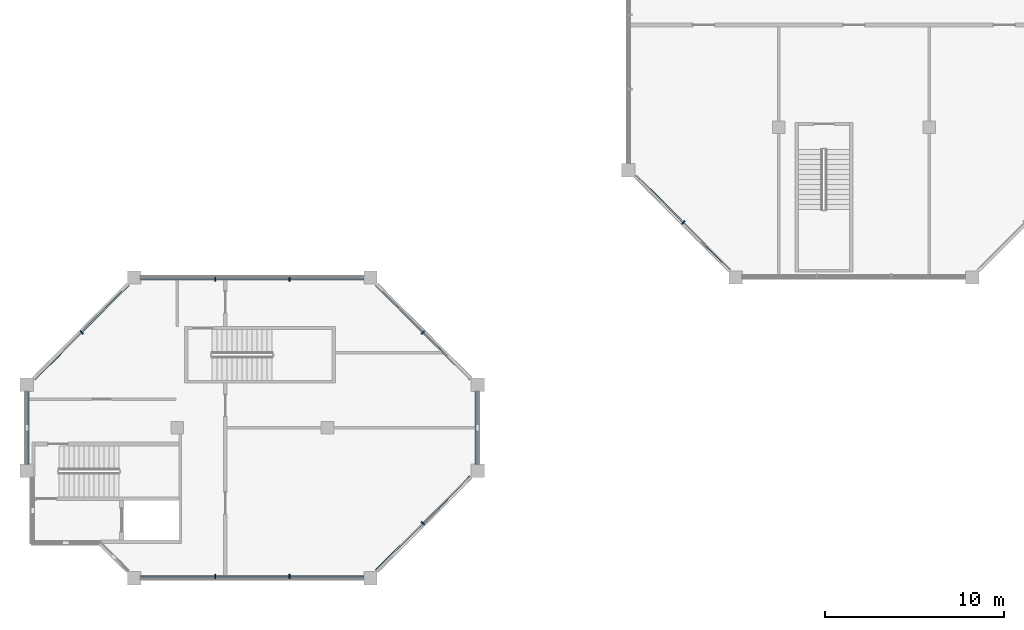
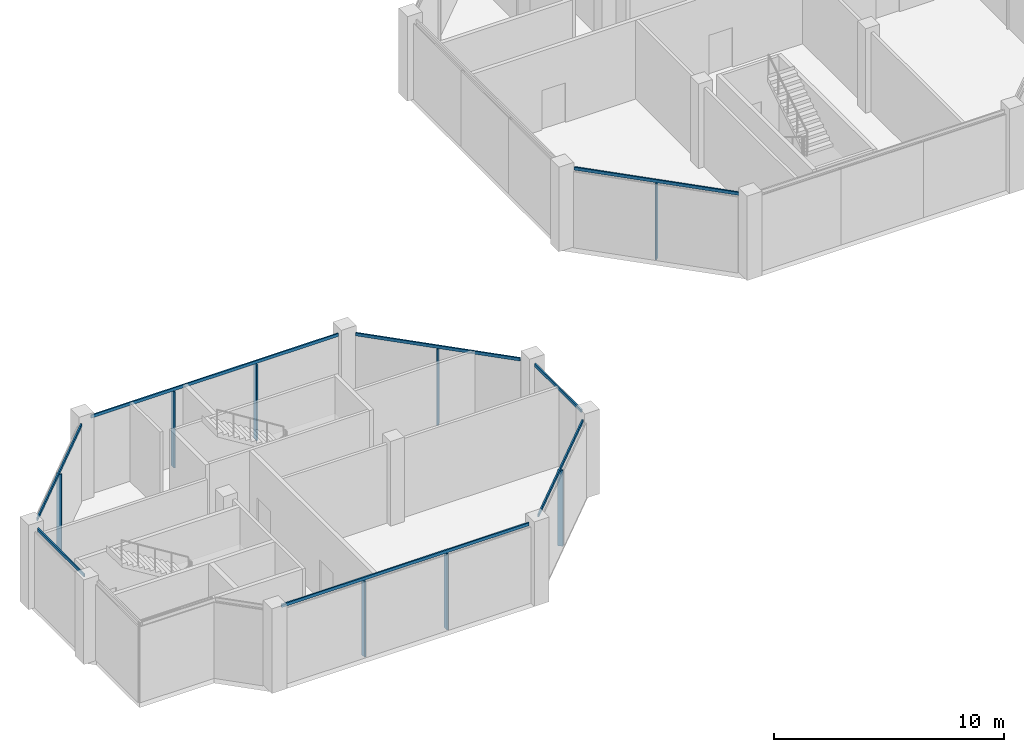
# One storey, part 2 of 9: 16 members, 8 elements without a shape of their own.
"""IFC4 building model written with IfcOpenShell, lengths in metres."""

import ifcopenshell
import ifcopenshell.guid

model = None  # the IFC model being written
_history = None  # IfcOwnerHistory: only IFC2X3 demands one
_inside = {}  # id of a spatial element -> (the spatial element, [elements in it])
_under = {}  # id of a project, library or spatial element -> (it, [spatial elements below it])
_declared = {}  # id of a project -> (the project, [libraries it declares])
_typed = {}  # id of a type object -> (the type object, [elements of that type])
_made_of = {}  # id of a material, layer set ... -> (it, [elements and type objects made of it])


def new_model(schema):
    """Start an empty IFC model of exactly this schema.

    Asked for "IFC4X3", IfcOpenShell would pick the latest addendum, in which some entities
    have other attributes; the version numbers below select the first issue.
    IFC2X3 requires an IfcOwnerHistory on every rooted entity: one is made here for all.
    """
    global model, _history
    if schema == "IFC4X3":
        model = ifcopenshell.file(schema_version=(4, 3, 0, 0))
    else:
        model = ifcopenshell.file(schema=schema)
    _inside.clear()
    _under.clear()
    _declared.clear()
    _typed.clear()
    _made_of.clear()
    _history = None
    if model.schema == "IFC2X3":
        org = make("IfcOrganization", Name="unknown")
        user = make(
            "IfcPersonAndOrganization",
            ThePerson=make("IfcPerson", FamilyName="unknown"),
            TheOrganization=org,
        )
        app = make(
            "IfcApplication",
            ApplicationDeveloper=org,
            Version="unknown",
            ApplicationFullName="unknown",
            ApplicationIdentifier="unknown",
        )
        _history = make(
            "IfcOwnerHistory",
            OwningUser=user,
            OwningApplication=app,
            ChangeAction="ADDED",
            CreationDate=0,
        )
    return model


def make(cls, **values):
    """One entity of the class cls with the attributes given. An attribute that is None is left unset."""
    return model.create_entity(
        cls, **{name: value for name, value in values.items() if value is not None}
    )


def rooted(cls, **values):
    """An entity with a GlobalId (a new one), such as an element, a storey or a relation."""
    return make(cls, GlobalId=ifcopenshell.guid.new(), OwnerHistory=_history, **values)


def si_unit(unit_type, name, prefix=None):
    """IfcSIUnit, for example si_unit("LENGTHUNIT", "METRE", prefix="MILLI")."""
    return make("IfcSIUnit", UnitType=unit_type, Prefix=prefix, Name=name)


def assignment(units):
    """IfcUnitAssignment: the units of a project."""
    return None if units is None else make("IfcUnitAssignment", Units=units)


def point(xyz):
    """IfcCartesianPoint."""
    return None if xyz is None else make("IfcCartesianPoint", Coordinates=xyz)


def direction(xyz):
    """IfcDirection."""
    return None if xyz is None else make("IfcDirection", DirectionRatios=xyz)


def frame(location, z_axis=None, x_axis=None):
    """IfcAxis2Placement3D, a coordinate frame: its origin and axes. An axis left out is left unset."""
    return make(
        "IfcAxis2Placement3D",
        Location=point(location),
        Axis=direction(z_axis),
        RefDirection=direction(x_axis),
    )


def frame_2d(location, x_axis=None):
    """IfcAxis2Placement2D, a coordinate frame in the plane: its origin and x axis."""
    return make(
        "IfcAxis2Placement2D", Location=point(location), RefDirection=direction(x_axis)
    )


def origin():
    """The frame at (0, 0, 0) with its axes left unset."""
    return frame((0.0, 0.0, 0.0))


def origin_2d():
    """The frame at (0, 0) in the plane with its x axis left unset."""
    return frame_2d((0.0, 0.0))


def place(relative_to, where):
    """IfcLocalPlacement: puts the frame where relative to a parent placement (None: the world)."""
    return make(
        "IfcLocalPlacement", PlacementRelTo=relative_to, RelativePlacement=where
    )


def context(
    kind, dimensions, precision=None, world=None, true_north=None, identifier=None
):
    """IfcGeometricRepresentationContext, for example the 3D "Model" context."""
    return make(
        "IfcGeometricRepresentationContext",
        ContextIdentifier=identifier,
        ContextType=kind,
        CoordinateSpaceDimension=dimensions,
        Precision=precision,
        WorldCoordinateSystem=world,
        TrueNorth=true_north,
    )


def subcontext(parent, identifier, kind, view, scale=None):
    """IfcGeometricRepresentationSubContext, for example "Body" below "Model"."""
    return make(
        "IfcGeometricRepresentationSubContext",
        ContextIdentifier=identifier,
        ContextType=kind,
        ParentContext=parent,
        TargetScale=scale,
        TargetView=view,
    )


def project(units=None, contexts=None):
    """IfcProject with its units and contexts."""
    return rooted(
        "IfcProject",
        Name="project",
        RepresentationContexts=contexts,
        UnitsInContext=assignment(units),
    )


def spatial(cls, under=None, at=None, **own):
    """A site, building, storey or space (cls), placed at a placement, below another one or the project."""
    s = rooted(cls, ObjectPlacement=at, **own)
    if under is not None:
        _under.setdefault(under.id(), (under, []))[1].append(s)
    return s


def profile(cls, at=None, kind="AREA", **sizes):
    """A parametric profile (cls). Its sizes go by their IFC names, for example OverallWidth=200.0."""
    return make(cls, ProfileType=kind, Position=at, **sizes)


def rectangle(**sizes):
    """IfcRectangleProfileDef."""
    return profile("IfcRectangleProfileDef", **sizes)


def extrude(swept, where, along, depth):
    """IfcExtrudedAreaSolid: the profile swept, set in the frame where, extruded along a direction by depth."""
    return make(
        "IfcExtrudedAreaSolid",
        SweptArea=swept,
        Position=where,
        ExtrudedDirection=direction(along),
        Depth=depth,
    )


def shape(context_of_items, identifier, shape_type, items):
    """IfcShapeRepresentation: the items that make up one representation, for example the "Body"."""
    return make(
        "IfcShapeRepresentation",
        ContextOfItems=context_of_items,
        RepresentationIdentifier=identifier,
        RepresentationType=shape_type,
        Items=items,
    )


def material(Name=None, Category=None):
    """IfcMaterial."""
    return make("IfcMaterial", Name=Name, Category=Category)


def layer(
    of_material, thickness, ventilated=None, Name=None, Category=None, Priority=None
):
    """IfcMaterialLayer: one layer of a wall or slab, of a material (None: an air gap)."""
    return make(
        "IfcMaterialLayer",
        Material=of_material,
        LayerThickness=thickness,
        IsVentilated=ventilated,
        Name=Name,
        Category=Category,
        Priority=Priority,
    )


def layer_set(layers, Name=None):
    """IfcMaterialLayerSet."""
    return make("IfcMaterialLayerSet", MaterialLayers=layers, LayerSetName=Name)


def material_profile(
    of_material, cross_section, Name=None, Category=None, Priority=None
):
    """IfcMaterialProfile: a cross section and its material."""
    return make(
        "IfcMaterialProfile",
        Name=Name,
        Material=of_material,
        Profile=cross_section,
        Priority=Priority,
        Category=Category,
    )


def profile_set(profiles, Name=None, composite=None):
    """IfcMaterialProfileSet."""
    return make(
        "IfcMaterialProfileSet",
        Name=Name,
        MaterialProfiles=profiles,
        CompositeProfile=composite,
    )


def made_of(thing, what):
    """Note that an element or type object is made of a material, layer set ...; save() writes the relation."""
    if what is not None:
        _made_of.setdefault(what.id(), (what, []))[1].append(thing)
    return thing


def type_object(cls, material=None, **own):
    """A type object (cls), such as IfcWallType, which elements share."""
    return made_of(rooted(cls, **own), material)


def element(
    cls,
    number,
    at=None,
    inside=None,
    cuts=None,
    type_object=None,
    material=None,
    context=None,
    identifier="Body",
    shape_type=None,
    held_by="IfcProductDefinitionShape",
    body=None,
    shapes=None,
    **own,
):
    """One element of the class cls, such as IfcWall. Its Tag is "e" and its number.

    at: its placement. inside: the storey or other place that contains it. cuts: it is an
    opening in that element (IfcRelVoidsElement). A single representation is given by context,
    identifier, shape_type and body (its items); several are given by shapes. held_by: the class
    of the entity that holds the representations. save() writes the other relations.
    """
    e = rooted(cls, Tag="e%d" % number, ObjectPlacement=at, **own)
    if body is not None:
        shapes = [shape(context, identifier, shape_type, body)]
    if shapes is not None:
        e.Representation = make(held_by, Representations=shapes)
    if inside is not None:
        _inside.setdefault(inside.id(), (inside, []))[1].append(e)
    if cuts is not None:
        rooted(
            "IfcRelVoidsElement", RelatingBuildingElement=cuts, RelatedOpeningElement=e
        )
    if type_object is not None:
        _typed.setdefault(type_object.id(), (type_object, []))[1].append(e)
    return made_of(e, material)


def aggregate(whole, parts):
    """IfcRelAggregates: a whole, such as a stair, and the parts it consists of."""
    return rooted("IfcRelAggregates", RelatingObject=whole, RelatedObjects=parts)


def save(model, path):
    """Write the relations noted so far, then the file.

    IfcRelAggregates (storeys below a building ...), IfcRelContainedInSpatialStructure (elements
    in a storey), IfcRelDefinesByType, IfcRelAssociatesMaterial and IfcRelDeclares: one each for
    every whole, place, type object, material and project.
    """
    for whole, parts in _under.values():
        aggregate(whole, parts)
    for where, things in _inside.values():
        rooted(
            "IfcRelContainedInSpatialStructure",
            RelatedElements=things,
            RelatingStructure=where,
        )
    for kind, things in _typed.values():
        rooted("IfcRelDefinesByType", RelatedObjects=things, RelatingType=kind)
    for what, things in _made_of.values():
        rooted("IfcRelAssociatesMaterial", RelatedObjects=things, RelatingMaterial=what)
    for by, libraries in _declared.values():
        rooted("IfcRelDeclares", RelatingContext=by, RelatedDefinitions=libraries)
    model.write(path)


model = new_model("IFC4")

# Units and contexts
model_context = context("Model", 3, precision=1e-05, world=origin(), true_north=direction((0.0, 1.0)))
body_context = subcontext(model_context, "Body", "Model", "MODEL_VIEW")
ifc_project = project(units=[si_unit("LENGTHUNIT", "METRE"), si_unit("AREAUNIT", "SQUARE_METRE"), si_unit("VOLUMEUNIT", "CUBIC_METRE"), si_unit("PLANEANGLEUNIT", "RADIAN"), si_unit("MASSUNIT", "GRAM", prefix="KILO")], contexts=[model_context])

# Site, building, storey
site_placement = place(None, origin())
site = spatial("IfcSite", under=ifc_project, at=site_placement, CompositionType="ELEMENT")
building_placement = place(site_placement, origin())
building = spatial("IfcBuilding", under=site, at=building_placement, Name="Kawkab Arch Medical Tower", CompositionType="ELEMENT")
storey_placement = place(building_placement, frame((0.0, 0.0, 345.699951171875)))
storey = spatial("IfcBuildingStorey", under=building, at=storey_placement, Name="L80", CompositionType="ELEMENT", Elevation=345.699951171875)

# Curtain wall, member
ifc_material_1 = material(Name="Bronze anodised aluminium curtain wall frame", Category="aluminium")
ifc_layer = layer(ifc_material_1, 0.159912109375)
ifc_layer_set = layer_set([ifc_layer], Name="Bronze anodised aluminium curtain wall frame")
curtain_wall_type = type_object("IfcCurtainWallType", Name="CW6 helipad lobby and crown glazing", PredefinedType="NOTDEFINED", material=ifc_layer_set)
placement = place(storey_placement, origin())
curtain_wall_1 = element("IfcCurtainWall", 1, at=placement, inside=storey, type_object=curtain_wall_type, Name="CW6 Helipad lobby and crown glazing R05", PredefinedType="NOTDEFINED")
ifc_material_2 = material(Name="Bronze anodised aluminium curtain wall frame", Category="aluminium")
ifc_material_profile_1 = material_profile(ifc_material_2, rectangle(XDim=0.239990234375, YDim=0.070068359375, at=origin_2d()), Name="AL 70x240")
ifc_profile_set_1 = profile_set([ifc_material_profile_1], Name="Bronze anodised aluminium curtain wall frame")
member_type_1 = type_object("IfcMemberType", Name="CW6 mullion 70 x 240", PredefinedType="MULLION", material=ifc_profile_set_1)
member_1_placement = place(storey_placement, frame((36.670654296875, -22.12939453125, 0.0), z_axis=(0.0, 0.0, 1.0), x_axis=(0.707106781187, 0.707106781187, 0.0)))
member_1 = element("IfcMember", 2, at=member_1_placement, type_object=member_type_1, Name="CW6 mullion 1.1", PredefinedType="MULLION", context=body_context, shape_type="SweptSolid", body=[
    extrude(rectangle(XDim=0.239990234375, YDim=0.070068359375, at=origin_2d()), origin(), (0.0, 0.0, 1.0), 4.0400390625),
])

curtain_wall_2 = element("IfcCurtainWall", 3, at=placement, inside=storey, type_object=curtain_wall_type, Name="CW6 Helipad lobby and crown glazing R09", PredefinedType="NOTDEFINED")
member_2_placement = place(storey_placement, frame((22.12939453125, -28.270751953125, 0.0), z_axis=(0.0, 0.0, 1.0), x_axis=(-0.707106781187, -0.707106781187, 0.0)))
member_2 = element("IfcMember", 4, at=member_2_placement, type_object=member_type_1, Name="CW6 mullion 1.1", PredefinedType="MULLION", context=body_context, shape_type="SweptSolid", body=[
    extrude(rectangle(XDim=0.239990234375, YDim=0.070068359375, at=origin_2d()), origin(), (0.0, 0.0, 1.0), 4.0400390625),
])

# Curtain wall, members
curtain_wall_3 = element("IfcCurtainWall", 5, at=placement, inside=storey, type_object=curtain_wall_type, Name="CW6 Helipad lobby and crown glazing R10", PredefinedType="NOTDEFINED")
member_3_placement = place(storey_placement, frame((14.675048828125, -25.300048828125, 0.0), z_axis=(0.0, 0.0, 1.0), x_axis=(0.0, -1.0, 0.0)))
member_3 = element("IfcMember", 6, at=member_3_placement, type_object=member_type_1, Name="CW6 mullion 1.1", PredefinedType="MULLION", context=body_context, shape_type="SweptSolid", body=[
    extrude(rectangle(XDim=0.239990234375, YDim=0.070068359375, at=origin_2d()), origin(), (0.0, 0.0, 1.0), 4.0400390625),
])
member_4_placement = place(storey_placement, frame((10.52490234375, -25.300048828125, 0.0), z_axis=(0.0, 0.0, 1.0), x_axis=(0.0, -1.0, 0.0)))
member_4 = element("IfcMember", 7, at=member_4_placement, type_object=member_type_1, Name="CW6 mullion 1.2", PredefinedType="MULLION", context=body_context, shape_type="SweptSolid", body=[
    extrude(rectangle(XDim=0.239990234375, YDim=0.070068359375, at=origin_2d()), origin(), (0.0, 0.0, 1.0), 4.0400390625),
])

# Curtain wall, member
curtain_wall_4 = element("IfcCurtainWall", 8, at=placement, inside=storey, type_object=curtain_wall_type, Name="CW6 Helipad lobby and crown glazing R11", PredefinedType="NOTDEFINED")
member_5_placement = place(storey_placement, frame((3.07080078125, -28.270751953125, 0.0), z_axis=(0.0, 0.0, 1.0), x_axis=(0.707106781187, -0.707106781187, 0.0)))
member_5 = element("IfcMember", 9, at=member_5_placement, type_object=member_type_1, Name="CW6 mullion 1.1", PredefinedType="MULLION", context=body_context, shape_type="SweptSolid", body=[
    extrude(rectangle(XDim=0.239990234375, YDim=0.070068359375, at=origin_2d()), origin(), (0.0, 0.0, 1.0), 4.0400390625),
])

# Curtain wall, members
curtain_wall_5 = element("IfcCurtainWall", 10, at=placement, inside=storey, type_object=curtain_wall_type, Name="CW6 Helipad lobby and crown glazing R17", PredefinedType="NOTDEFINED")
member_6_placement = place(storey_placement, frame((10.52490234375, -41.89990234375, 0.0), z_axis=(0.0, 0.0, 1.0), x_axis=(0.0, 1.0, 0.0)))
member_6 = element("IfcMember", 11, at=member_6_placement, type_object=member_type_1, Name="CW6 mullion 1.1", PredefinedType="MULLION", context=body_context, shape_type="SweptSolid", body=[
    extrude(rectangle(XDim=0.239990234375, YDim=0.070068359375, at=origin_2d()), origin(), (0.0, 0.0, 1.0), 4.0400390625),
])
member_7_placement = place(storey_placement, frame((14.675048828125, -41.89990234375, 0.0), z_axis=(0.0, 0.0, 1.0), x_axis=(0.0, 1.0, 0.0)))
member_7 = element("IfcMember", 12, at=member_7_placement, type_object=member_type_1, Name="CW6 mullion 1.2", PredefinedType="MULLION", context=body_context, shape_type="SweptSolid", body=[
    extrude(rectangle(XDim=0.239990234375, YDim=0.070068359375, at=origin_2d()), origin(), (0.0, 0.0, 1.0), 4.0400390625),
])

# Curtain wall, member
curtain_wall_6 = element("IfcCurtainWall", 13, at=placement, inside=storey, type_object=curtain_wall_type, Name="CW6 Helipad lobby and crown glazing R18", PredefinedType="NOTDEFINED")
member_8_placement = place(storey_placement, frame((22.12939453125, -38.92919921875, 0.0), z_axis=(0.0, 0.0, 1.0), x_axis=(-0.707106781187, 0.707106781187, 0.0)))
member_8 = element("IfcMember", 14, at=member_8_placement, type_object=member_type_1, Name="CW6 mullion 1.1", PredefinedType="MULLION", context=body_context, shape_type="SweptSolid", body=[
    extrude(rectangle(XDim=0.239990234375, YDim=0.070068359375, at=origin_2d()), origin(), (0.0, 0.0, 1.0), 4.0400390625),
])

# Member
ifc_material_3 = material(Name="Bronze anodised aluminium curtain wall frame", Category="aluminium")
ifc_material_profile_2 = material_profile(ifc_material_3, rectangle(XDim=0.070068359375, YDim=0.159912109375, at=origin_2d()), Name="AL 70x160")
ifc_profile_set_2 = profile_set([ifc_material_profile_2], Name="Bronze anodised aluminium curtain wall frame")
member_type_2 = type_object("IfcMemberType", Name="CW6 transom 160 x 70", PredefinedType="USERDEFINED", material=ifc_profile_set_2)
member_9_placement = place(storey_placement, frame((34.045654296875, -19.50439453125, 4.1201171875), z_axis=(0.707106781187, -0.707106781187, 0.0), x_axis=(0.707106781187, 0.707106781187, 0.0)))
member_9 = element("IfcMember", 15, at=member_9_placement, type_object=member_type_2, Name="CW6 transom 1", ObjectType="TRANSOM", PredefinedType="USERDEFINED", context=body_context, shape_type="SweptSolid", body=[
    extrude(rectangle(XDim=0.070068359375, YDim=0.159912109375, at=origin_2d()), origin(), (0.0, 0.0, 1.0), 7.424560546875),
])

aggregate(curtain_wall_1, [member_9, member_1])

member_10_placement = place(storey_placement, frame((24.75439453125, -30.895751953125, 4.1201171875), z_axis=(-0.707123221898, 0.707090340093, 0.0), x_axis=(-0.707090340093, -0.707123221898, 0.0)))
member_10 = element("IfcMember", 16, at=member_10_placement, type_object=member_type_2, Name="CW6 transom 1", ObjectType="TRANSOM", PredefinedType="USERDEFINED", context=body_context, shape_type="SweptSolid", body=[
    extrude(rectangle(XDim=0.070068359375, YDim=0.159912109375, at=origin_2d()), origin(), (0.0, 0.0, 1.0), 7.4248046875),
])

aggregate(curtain_wall_2, [member_10, member_2])

member_11_placement = place(storey_placement, frame((18.824951171875, -25.300048828125, 4.1201171875), z_axis=(-1.0, 0.0, 0.0), x_axis=(0.0, -1.0, 0.0)))
member_11 = element("IfcMember", 17, at=member_11_placement, type_object=member_type_2, Name="CW6 transom 1", ObjectType="TRANSOM", PredefinedType="USERDEFINED", context=body_context, shape_type="SweptSolid", body=[
    extrude(rectangle(XDim=0.070068359375, YDim=0.159912109375, at=origin_2d()), origin(), (0.0, 0.0, 1.0), 12.449951171875),
])

aggregate(curtain_wall_3, [member_11, member_3, member_4])

member_12_placement = place(storey_placement, frame((5.69580078125, -25.645751953125, 4.1201171875), z_axis=(-0.707123221898, -0.707090340093, 0.0), x_axis=(0.707090340093, -0.707123221898, 0.0)))
member_12 = element("IfcMember", 18, at=member_12_placement, type_object=member_type_2, Name="CW6 transom 1", ObjectType="TRANSOM", PredefinedType="USERDEFINED", context=body_context, shape_type="SweptSolid", body=[
    extrude(rectangle(XDim=0.070068359375, YDim=0.159912109375, at=origin_2d()), origin(), (0.0, 0.0, 1.0), 7.4248046875),
])

aggregate(curtain_wall_4, [member_12, member_5])

# Curtain wall, member
curtain_wall_7 = element("IfcCurtainWall", 19, at=placement, inside=storey, type_object=curtain_wall_type, Name="CW6 Helipad lobby and crown glazing R12", PredefinedType="NOTDEFINED")
member_13_placement = place(storey_placement, frame((0.10009765625, -31.574951171875, 4.1201171875), z_axis=(0.0, -1.0, 0.0), x_axis=(1.0, 0.0, 0.0)))
member_13 = element("IfcMember", 20, at=member_13_placement, type_object=member_type_2, Name="CW6 transom 1", ObjectType="TRANSOM", PredefinedType="USERDEFINED", context=body_context, shape_type="SweptSolid", body=[
    extrude(rectangle(XDim=0.070068359375, YDim=0.159912109375, at=origin_2d()), origin(), (0.0, 0.0, 1.0), 4.050048828125),
])
aggregate(curtain_wall_7, [member_13])

# Member
member_14_placement = place(storey_placement, frame((6.375, -41.89990234375, 4.1201171875), z_axis=(1.0, 0.0, 0.0), x_axis=(0.0, 1.0, 0.0)))
member_14 = element("IfcMember", 21, at=member_14_placement, type_object=member_type_2, Name="CW6 transom 1", ObjectType="TRANSOM", PredefinedType="USERDEFINED", context=body_context, shape_type="SweptSolid", body=[
    extrude(rectangle(XDim=0.070068359375, YDim=0.159912109375, at=origin_2d()), origin(), (0.0, 0.0, 1.0), 12.449951171875),
])

aggregate(curtain_wall_5, [member_14, member_6, member_7])

member_15_placement = place(storey_placement, frame((19.50439453125, -41.55419921875, 4.1201171875), z_axis=(0.707106781187, 0.707106781187, 0.0), x_axis=(-0.707106781187, 0.707106781187, 0.0)))
member_15 = element("IfcMember", 22, at=member_15_placement, type_object=member_type_2, Name="CW6 transom 1", ObjectType="TRANSOM", PredefinedType="USERDEFINED", context=body_context, shape_type="SweptSolid", body=[
    extrude(rectangle(XDim=0.070068359375, YDim=0.159912109375, at=origin_2d()), origin(), (0.0, 0.0, 1.0), 7.424560546875),
])

aggregate(curtain_wall_6, [member_15, member_8])

# Curtain wall, member
curtain_wall_8 = element("IfcCurtainWall", 23, at=placement, inside=storey, type_object=curtain_wall_type, Name="CW6 Helipad lobby and crown glazing R19", PredefinedType="NOTDEFINED")
member_16_placement = place(storey_placement, frame((25.10009765625, -35.625, 4.1201171875), z_axis=(0.0, 1.0, 0.0), x_axis=(-1.0, 0.0, 0.0)))
member_16 = element("IfcMember", 24, at=member_16_placement, type_object=member_type_2, Name="CW6 transom 1", ObjectType="TRANSOM", PredefinedType="USERDEFINED", context=body_context, shape_type="SweptSolid", body=[
    extrude(rectangle(XDim=0.070068359375, YDim=0.159912109375, at=origin_2d()), origin(), (0.0, 0.0, 1.0), 4.050048828125),
])
aggregate(curtain_wall_8, [member_16])

save(model, "model.ifc")
